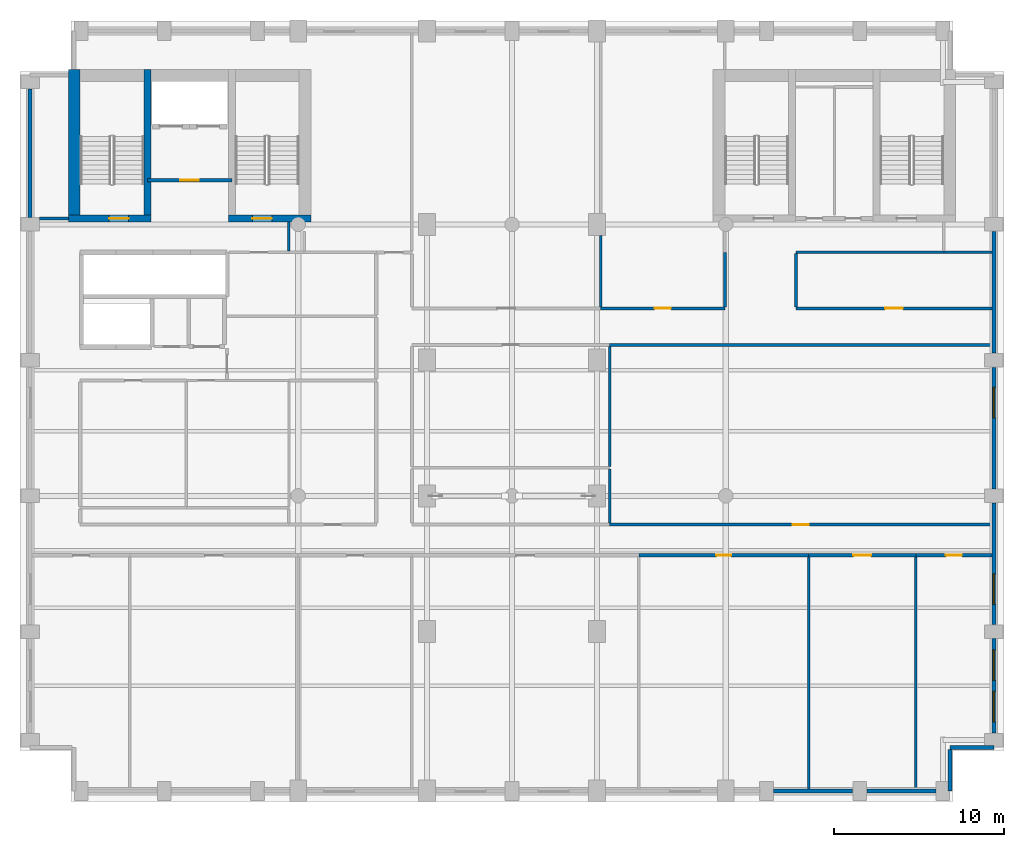
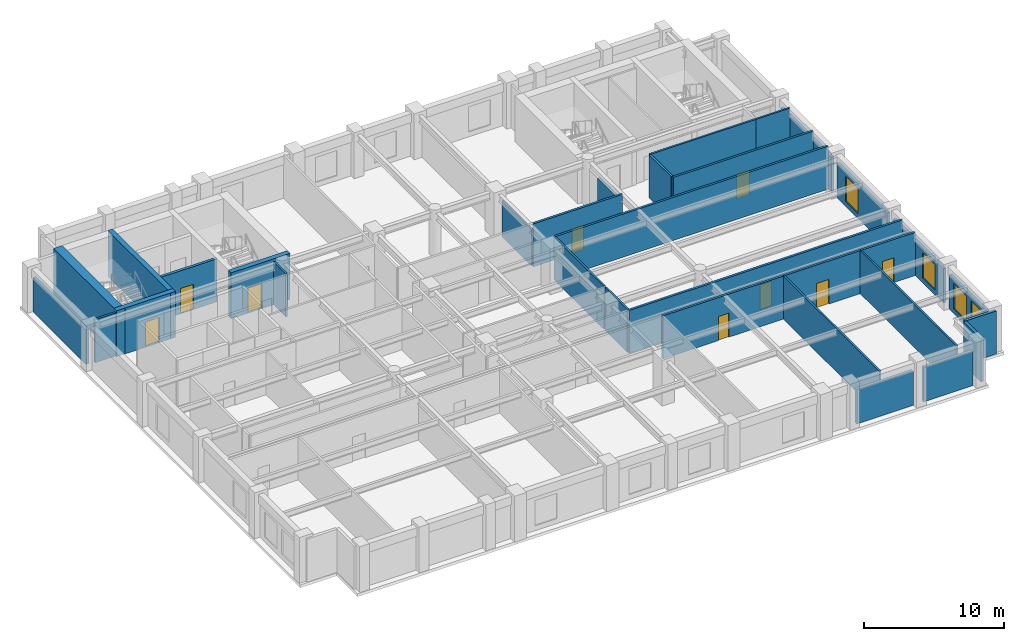
# One storey, part 6 of 10: 32 walls, 9 doors, 4 windows, 13 openings.
"""IFC4 building model written with IfcOpenShell, lengths in metres."""

from ifc_helpers import new_model, si_unit, direction, frame, frame_2d, origin, place, context, subcontext, project, spatial, rectangle, extrude, material, layer, layer_set, type_object, element, fill, save


model = new_model("IFC4")

# Units and contexts
model_context = context("Model", 3, precision=1e-05, world=origin(), true_north=direction((0.0, 1.0)))
body_context = subcontext(model_context, "Body", "Model", "MODEL_VIEW")
ifc_project = project(units=[si_unit("LENGTHUNIT", "METRE"), si_unit("AREAUNIT", "SQUARE_METRE"), si_unit("VOLUMEUNIT", "CUBIC_METRE"), si_unit("PLANEANGLEUNIT", "RADIAN"), si_unit("MASSUNIT", "GRAM", prefix="KILO")], contexts=[model_context])

# Site, building, storey
site_placement = place(None, origin())
site = spatial("IfcSite", under=ifc_project, at=site_placement, CompositionType="ELEMENT")
building_placement = place(site_placement, origin())
building = spatial("IfcBuilding", under=site, at=building_placement, Name="Sulina Concourse Tower", CompositionType="ELEMENT")
storey_placement = place(building_placement, frame((0.0, 0.0, 206.60009765625)))
storey = spatial("IfcBuildingStorey", under=building, at=storey_placement, Name="L50", CompositionType="ELEMENT", Elevation=206.60009765625)

# Walls
ifc_material_1 = material(Name="Precast concrete C50/60", Category="concrete")
ifc_layer_1 = layer(ifc_material_1, 0.239990234375)
ifc_layer_set_1 = layer_set([ifc_layer_1], Name="Precast concrete C50/60")
wall_type_1 = type_object("IfcWallType", Name="Crown Precast Masonry-Frame Facade Wall 240mm", PredefinedType="SOLIDWALL", material=ifc_layer_set_1)
wall_1_placement = place(storey_placement, frame((49.080078125, 0.60009765625, 0.0), z_axis=(0.0, 0.0, 1.0), x_axis=(-1.0, 0.0, 0.0)))
element("IfcWall", 1, at=wall_1_placement, inside=storey, type_object=wall_type_1, Name="L50 exterior precast wall S9", PredefinedType="SOLIDWALL", context=body_context, shape_type="SweptSolid", body=[
    extrude(rectangle(XDim=4.66015625, YDim=0.239990234375, at=frame_2d((2.330078125, 0.0))), origin(), (0.0, 0.0, 1.0), 3.0),
])
wall_2_placement = place(storey_placement, frame((53.97998046875, 0.60009765625, 0.0), z_axis=(0.0, 0.0, 1.0), x_axis=(-1.0, 0.0, 0.0)))
element("IfcWall", 2, at=wall_2_placement, inside=storey, type_object=wall_type_1, Name="L50 exterior precast wall S10", PredefinedType="SOLIDWALL", context=body_context, shape_type="SweptSolid", body=[
    extrude(rectangle(XDim=4.06005859375, YDim=0.239990234375, at=frame_2d((2.030029296875, 0.0))), origin(), (0.0, 0.0, 1.0), 3.0),
])
wall_3_placement = place(storey_placement, frame((0.60009765625, 34.419921875, 0.0), z_axis=(0.0, 0.0, 1.0), x_axis=(0.0, 1.0, 0.0)))
element("IfcWall", 3, at=wall_3_placement, inside=storey, type_object=wall_type_1, Name="L50 exterior precast wall W5", PredefinedType="SOLIDWALL", context=body_context, shape_type="SweptSolid", body=[
    extrude(rectangle(XDim=7.56005859375, YDim=0.239990234375, at=frame_2d((3.780029296875, 0.0))), origin(), (0.0, 0.0, 1.0), 3.0),
])

# Wall, openings, windows
wall_4_placement = place(storey_placement, frame((57.39990234375, 9.580078125, 0.0), z_axis=(0.0, 0.0, 1.0), x_axis=(0.0, -1.0, 0.0)))
wall_4 = element("IfcWall", 4, at=wall_4_placement, inside=storey, type_object=wall_type_1, Name="L50 exterior precast wall E1", PredefinedType="SOLIDWALL", context=body_context, shape_type="SweptSolid", body=[
    extrude(rectangle(XDim=5.56005859375, YDim=0.239990234375, at=frame_2d((2.780029296875, 0.0))), origin(), (0.0, 0.0, 1.0), 3.0),
])
opening_1_placement = place(wall_4_placement, frame((0.6533203125, 0.0, 0.419921875)))
opening_1 = element("IfcOpeningElement", 5, at=opening_1_placement, cuts=wall_4, Name="Opening WN-25", PredefinedType="OPENING", context=body_context, shape_type="SweptSolid", body=[
    extrude(rectangle(XDim=1.800048828125, YDim=2.199951171875, at=frame_2d((0.89990234375, 1.10009765625))), frame((0.0, 0.1298828125, 0.0), z_axis=(0.0, -1.0, 0.0), x_axis=(1.0, 0.0, 0.0)), (0.0, 0.0, 1.0), 0.260009765625),
])
opening_2_placement = place(wall_4_placement, frame((3.106689453125, 0.0, 0.419921875)))
opening_2 = element("IfcOpeningElement", 6, at=opening_2_placement, cuts=wall_4, Name="Opening WN-25", PredefinedType="OPENING", context=body_context, shape_type="SweptSolid", body=[
    extrude(rectangle(XDim=1.800048828125, YDim=2.199951171875, at=frame_2d((0.89990234375, 1.10009765625))), frame((0.0, 0.1298828125, 0.0), z_axis=(0.0, -1.0, 0.0), x_axis=(1.0, 0.0, 0.0)), (0.0, 0.0, 1.0), 0.260009765625),
])
ifc_material_2 = material(Name="Low-E solar double glazing in bronze aluminium", Category="aluminium")
window_type = type_object("IfcWindowType", Name="Punched Masonry-Frame Window 1800x2200", PartitioningType="SINGLE_PANEL", PredefinedType="WINDOW", material=ifc_material_2)
window_1_placement = place(opening_1_placement, origin())
window_1 = element("IfcWindow", 7, at=window_1_placement, inside=storey, type_object=window_type, Name="L50 punched window E1-1", OverallHeight=2.199951171875, OverallWidth=1.800048828125, PartitioningType="SINGLE_PANEL", PredefinedType="WINDOW", context=body_context, shape_type="SweptSolid", body=[
    extrude(rectangle(XDim=1.800048828125, YDim=2.199951171875, at=frame_2d((0.89990234375, 1.10009765625))), frame((0.0, 0.030029296875, 0.0), z_axis=(0.0, -1.0, 0.0), x_axis=(1.0, 0.0, 0.0)), (0.0, 0.0, 1.0), 0.06005859375),
])
fill(opening_1, window_1)
window_2_placement = place(opening_2_placement, origin())
window_2 = element("IfcWindow", 8, at=window_2_placement, inside=storey, type_object=window_type, Name="L50 punched window E1-2", OverallHeight=2.199951171875, OverallWidth=1.800048828125, PartitioningType="SINGLE_PANEL", PredefinedType="WINDOW", context=body_context, shape_type="SweptSolid", body=[
    extrude(rectangle(XDim=1.800048828125, YDim=2.199951171875, at=frame_2d((0.89990234375, 1.10009765625))), frame((0.0, 0.030029296875, 0.0), z_axis=(0.0, -1.0, 0.0), x_axis=(1.0, 0.0, 0.0)), (0.0, 0.0, 1.0), 0.06005859375),
])
fill(opening_2, window_2)

# Wall, opening, window
wall_5_placement = place(storey_placement, frame((57.39990234375, 17.580078125, 0.0), z_axis=(0.0, 0.0, 1.0), x_axis=(0.0, -1.0, 0.0)))
wall_5 = element("IfcWall", 9, at=wall_5_placement, inside=storey, type_object=wall_type_1, Name="L50 exterior precast wall E2", PredefinedType="SOLIDWALL", context=body_context, shape_type="SweptSolid", body=[
    extrude(rectangle(XDim=7.16015625, YDim=0.239990234375, at=frame_2d((3.580078125, 0.0))), origin(), (0.0, 0.0, 1.0), 3.0),
])
opening_3_placement = place(wall_5_placement, frame((4.17333984375, 0.0, 0.419921875)))
opening_3 = element("IfcOpeningElement", 10, at=opening_3_placement, cuts=wall_5, Name="Opening WN-25", PredefinedType="OPENING", context=body_context, shape_type="SweptSolid", body=[
    extrude(rectangle(XDim=1.800048828125, YDim=2.199951171875, at=frame_2d((0.89990234375, 1.10009765625))), frame((0.0, 0.1298828125, 0.0), z_axis=(0.0, -1.0, 0.0), x_axis=(1.0, 0.0, 0.0)), (0.0, 0.0, 1.0), 0.260009765625),
])
window_3_placement = place(opening_3_placement, origin())
window_3 = element("IfcWindow", 11, at=window_3_placement, inside=storey, type_object=window_type, Name="L50 punched window E2-1", OverallHeight=2.199951171875, OverallWidth=1.800048828125, PartitioningType="SINGLE_PANEL", PredefinedType="WINDOW", context=body_context, shape_type="SweptSolid", body=[
    extrude(rectangle(XDim=1.800048828125, YDim=2.199951171875, at=frame_2d((0.89990234375, 1.10009765625))), frame((0.0, 0.030029296875, 0.0), z_axis=(0.0, -1.0, 0.0), x_axis=(1.0, 0.0, 0.0)), (0.0, 0.0, 1.0), 0.06005859375),
])
fill(opening_3, window_3)

wall_6_placement = place(storey_placement, frame((57.39990234375, 25.580078125, 0.0), z_axis=(0.0, 0.0, 1.0), x_axis=(0.0, -1.0, 0.0)))
wall_6 = element("IfcWall", 12, at=wall_6_placement, inside=storey, type_object=wall_type_1, Name="L50 exterior precast wall E3", PredefinedType="SOLIDWALL", context=body_context, shape_type="SweptSolid", body=[
    extrude(rectangle(XDim=7.16015625, YDim=0.239990234375, at=frame_2d((3.580078125, 0.0))), origin(), (0.0, 0.0, 1.0), 3.0),
])
opening_4_placement = place(wall_6_placement, frame((1.186767578125, 0.0, 0.419921875)))
opening_4 = element("IfcOpeningElement", 13, at=opening_4_placement, cuts=wall_6, Name="Opening WN-25", PredefinedType="OPENING", context=body_context, shape_type="SweptSolid", body=[
    extrude(rectangle(XDim=1.800048828125, YDim=2.199951171875, at=frame_2d((0.89990234375, 1.10009765625))), frame((0.0, 0.1298828125, 0.0), z_axis=(0.0, -1.0, 0.0), x_axis=(1.0, 0.0, 0.0)), (0.0, 0.0, 1.0), 0.260009765625),
])
window_4_placement = place(opening_4_placement, origin())
window_4 = element("IfcWindow", 14, at=window_4_placement, inside=storey, type_object=window_type, Name="L50 punched window E3-1", OverallHeight=2.199951171875, OverallWidth=1.800048828125, PartitioningType="SINGLE_PANEL", PredefinedType="WINDOW", context=body_context, shape_type="SweptSolid", body=[
    extrude(rectangle(XDim=1.800048828125, YDim=2.199951171875, at=frame_2d((0.89990234375, 1.10009765625))), frame((0.0, 0.030029296875, 0.0), z_axis=(0.0, -1.0, 0.0), x_axis=(1.0, 0.0, 0.0)), (0.0, 0.0, 1.0), 0.06005859375),
])
fill(opening_4, window_4)

# Walls
wall_7_placement = place(storey_placement, frame((57.39990234375, 33.580078125, 0.0), z_axis=(0.0, 0.0, 1.0), x_axis=(0.0, -1.0, 0.0)))
element("IfcWall", 15, at=wall_7_placement, inside=storey, type_object=wall_type_1, Name="L50 exterior precast wall E4", PredefinedType="SOLIDWALL", context=body_context, shape_type="SweptSolid", body=[
    extrude(rectangle(XDim=7.16015625, YDim=0.239990234375, at=frame_2d((3.580078125, 0.0))), origin(), (0.0, 0.0, 1.0), 3.0),
])
wall_8_placement = place(storey_placement, frame((57.39990234375, 3.179931640625, 0.0), z_axis=(0.0, 0.0, 1.0), x_axis=(-1.0, 0.0, 0.0)))
element("IfcWall", 16, at=wall_8_placement, inside=storey, type_object=wall_type_1, Name="L50 exterior precast wall CSE1", PredefinedType="SOLIDWALL", context=body_context, shape_type="SweptSolid", body=[
    extrude(rectangle(XDim=2.579833984375, YDim=0.239990234375, at=frame_2d((1.2900390625, 0.0))), origin(), (0.0, 0.0, 1.0), 3.75),
])
wall_9_placement = place(storey_placement, frame((54.820068359375, 3.054931640625, 0.0), z_axis=(0.0, 0.0, 1.0), x_axis=(0.0, -1.0, 0.0)))
element("IfcWall", 17, at=wall_9_placement, inside=storey, type_object=wall_type_1, Name="L50 exterior precast wall CSE2", PredefinedType="SOLIDWALL", context=body_context, shape_type="SweptSolid", body=[
    extrude(rectangle(XDim=2.454833984375, YDim=0.239990234375, at=frame_2d((1.2275390625, 0.0))), origin(), (0.0, 0.0, 1.0), 3.75),
])

# Wall, opening, door
ifc_material_3 = material(Name="Gypsum board on steel stud", Category="steel")
ifc_layer_2 = layer(ifc_material_3, 0.219970703125)
ifc_layer_set_2 = layer_set([ifc_layer_2], Name="Gypsum board on steel stud")
wall_type_2 = type_object("IfcWallType", Name="Fire-Rated Lobby & Compartment Wall 220mm", PredefinedType="PARTITIONING", material=ifc_layer_set_2)
wall_10_placement = place(storey_placement, frame((7.510009765625, 36.60009765625, 0.0), z_axis=(0.0, 0.0, 1.0), x_axis=(1.0, 0.0, 0.0)))
wall_10 = element("IfcWall", 18, at=wall_10_placement, inside=storey, type_object=wall_type_2, Name="L50 firefighting lobby south fire wall", PredefinedType="PARTITIONING", context=body_context, shape_type="SweptSolid", body=[
    extrude(rectangle(XDim=4.97998046875, YDim=0.219970703125, at=frame_2d((2.489990234375, 0.0))), origin(), (0.0, 0.0, 1.0), 3.75),
])
opening_5_placement = place(wall_10_placement, frame((1.93994140625, 0.0, 0.0)))
opening_5 = element("IfcOpeningElement", 19, at=opening_5_placement, cuts=wall_10, Name="Opening DR-47", PredefinedType="OPENING", context=body_context, shape_type="SweptSolid", body=[
    extrude(rectangle(XDim=1.10009765625, YDim=2.199951171875, at=frame_2d((0.550048828125, 1.10009765625))), frame((0.0, 0.119873046875, 0.0), z_axis=(0.0, -1.0, 0.0), x_axis=(1.0, 0.0, 0.0)), (0.0, 0.0, 1.0), 0.239990234375),
])
ifc_material_4 = material(Name="Galvanised steel acoustic fire leaf", Category="steel")
ifc_layer_3 = layer(ifc_material_4, 0.054931640625)
ifc_layer_set_3 = layer_set([ifc_layer_3], Name="Galvanised steel acoustic fire leaf")
door_type_1 = type_object("IfcDoorType", Name="Firefighting Lobby Fire Door 1100x2200", OperationType="NOTDEFINED", PredefinedType="DOOR", material=ifc_layer_set_3)
door_1_placement = place(opening_5_placement, origin())
door_1 = element("IfcDoor", 20, at=door_1_placement, inside=storey, type_object=door_type_1, Name="L50 firefighting lobby fire door", OperationType="SINGLE_SWING_LEFT", OverallHeight=2.199951171875, OverallWidth=1.10009765625, PredefinedType="DOOR", context=body_context, shape_type="SweptSolid", body=[
    extrude(rectangle(XDim=1.10009765625, YDim=2.199951171875, at=frame_2d((0.550048828125, 1.10009765625))), frame((0.0, 0.02490234375, 0.0), z_axis=(0.0, -1.0, 0.0), x_axis=(1.0, 0.0, 0.0)), (0.0, 0.0, 1.0), 0.050048828125),
])
fill(opening_5, door_1)

# Walls
ifc_material_5 = material(Name="Gypsum board on steel stud", Category="steel")
ifc_layer_4 = layer(ifc_material_5, 0.14990234375)
ifc_layer_set_4 = layer_set([ifc_layer_4], Name="Gypsum board on steel stud")
wall_type_3 = type_object("IfcWallType", Name="Inter-Tenancy Acoustic Partition 150mm", PredefinedType="PARTITIONING", material=ifc_layer_set_4)
wall_11_placement = place(storey_placement, frame((45.75, 32.35009765625, 0.0), z_axis=(0.0, 0.0, 1.0), x_axis=(1.0, 0.0, 0.0)))
element("IfcWall", 21, at=wall_11_placement, inside=storey, type_object=wall_type_3, Name="L50 interior partition 031", PredefinedType="PARTITIONING", context=body_context, shape_type="SweptSolid", body=[
    extrude(rectangle(XDim=8.699951171875, YDim=0.14990234375, at=frame_2d((4.35009765625, 0.0))), origin(), (0.0, 0.0, 1.0), 3.75),
])
wall_12_placement = place(storey_placement, frame((54.449951171875, 32.35009765625, 0.0), z_axis=(0.0, 0.0, 1.0), x_axis=(1.0, 0.0, 0.0)))
element("IfcWall", 22, at=wall_12_placement, inside=storey, type_object=wall_type_3, Name="L50 interior partition 032", PredefinedType="PARTITIONING", context=body_context, shape_type="SweptSolid", body=[
    extrude(rectangle(XDim=2.830078125, YDim=0.14990234375, at=frame_2d((1.4150390625, 0.0))), origin(), (0.0, 0.0, 1.0), 3.75),
])
wall_13_placement = place(storey_placement, frame((15.85009765625, 32.425048828125, 0.0), z_axis=(0.0, 0.0, 1.0), x_axis=(0.0, 1.0, 0.0)))
element("IfcWall", 23, at=wall_13_placement, inside=storey, type_object=wall_type_3, Name="L50 interior partition 045", PredefinedType="PARTITIONING", context=body_context, shape_type="SweptSolid", body=[
    extrude(rectangle(XDim=1.724853515625, YDim=0.14990234375, at=frame_2d((0.8623046875, 0.0))), origin(), (0.0, 0.0, 1.0), 3.75),
])
wall_14_placement = place(storey_placement, frame((34.219970703125, 29.139892578125, 0.0), z_axis=(0.0, 0.0, 1.0), x_axis=(0.0, 1.0, 0.0)))
element("IfcWall", 24, at=wall_14_placement, inside=storey, type_object=wall_type_3, Name="L50 interior partition 056", PredefinedType="PARTITIONING", context=body_context, shape_type="SweptSolid", body=[
    extrude(rectangle(XDim=4.210205078125, YDim=0.14990234375, at=frame_2d((2.10498046875, 0.0))), origin(), (0.0, 0.0, 1.0), 3.14501953125),
])
wall_15_placement = place(storey_placement, frame((34.75, 16.389892578125, 0.0), z_axis=(0.0, 0.0, 1.0), x_axis=(0.0, 1.0, 0.0)))
element("IfcWall", 25, at=wall_15_placement, inside=storey, type_object=wall_type_3, Name="L50 interior partition 058", PredefinedType="PARTITIONING", context=body_context, shape_type="SweptSolid", body=[
    extrude(rectangle(XDim=3.18505859375, YDim=0.14990234375, at=frame_2d((1.592529296875, 0.0))), origin(), (0.0, 0.0, 1.0), 3.75),
])
wall_16_placement = place(storey_placement, frame((34.75, 19.72509765625, 0.0), z_axis=(0.0, 0.0, 1.0), x_axis=(0.0, 1.0, 0.0)))
element("IfcWall", 26, at=wall_16_placement, inside=storey, type_object=wall_type_3, Name="L50 interior partition 059", PredefinedType="PARTITIONING", context=body_context, shape_type="SweptSolid", body=[
    extrude(rectangle(XDim=7.0849609375, YDim=0.14990234375, at=frame_2d((3.54248046875, 0.0))), origin(), (0.0, 0.0, 1.0), 3.75),
])
for number, where, z_axis, x_axis, name in (
    (27, (46.47998046875, 0.719970703125, 0.0), (0.0, 0.0, 1.0), (0.0, 1.0, 0.0), "L50 interior partition 065"),
    (28, (52.81005859375, 0.719970703125, 0.0), (0.0, 0.0, 1.0), (0.0, 1.0, 0.0), "L50 interior partition 067"),
):
    element("IfcWall", number, at=place(storey_placement, frame(where, z_axis=z_axis, x_axis=x_axis)), inside=storey, type_object=wall_type_3, Name=name, PredefinedType="PARTITIONING", context=body_context, shape_type="SweptSolid", body=[
        extrude(rectangle(XDim=13.68994140625, YDim=0.14990234375, at=frame_2d((6.844970703125, 0.0))), origin(), (0.0, 0.0, 1.0), 3.75),
    ])

# Wall, opening, door
ifc_material_6 = material(Name="Gypsum board on steel stud", Category="steel")
ifc_layer_5 = layer(ifc_material_6, 0.179931640625)
ifc_layer_set_5 = layer_set([ifc_layer_5], Name="Gypsum board on steel stud")
wall_type_4 = type_object("IfcWallType", Name="Protected Corridor & Riser Partition 180mm", PredefinedType="PARTITIONING", material=ifc_layer_set_5)
wall_17_placement = place(storey_placement, frame((36.47998046875, 14.5, 0.0), z_axis=(0.0, 0.0, 1.0), x_axis=(1.0, 0.0, 0.0)))
wall_17 = element("IfcWall", 29, at=wall_17_placement, inside=storey, type_object=wall_type_4, Name="L50 interior partition 005", PredefinedType="PARTITIONING", context=body_context, shape_type="SweptSolid", body=[
    extrude(rectangle(XDim=10.0, YDim=0.179931640625, at=frame_2d((5.0, 0.0))), origin(), (0.0, 0.0, 1.0), 3.75),
])
opening_6_placement = place(wall_17_placement, frame((4.56005859375, 0.0, 0.0)))
opening_6 = element("IfcOpeningElement", 30, at=opening_6_placement, cuts=wall_17, Name="Opening DR-38", PredefinedType="OPENING", context=body_context, shape_type="SweptSolid", body=[
    extrude(rectangle(XDim=0.8798828125, YDim=2.10009765625, at=frame_2d((0.43994140625, 1.050048828125))), frame((0.0, 0.099853515625, 0.0), z_axis=(0.0, -1.0, 0.0), x_axis=(1.0, 0.0, 0.0)), (0.0, 0.0, 1.0), 0.199951171875),
])
ifc_material_7 = material(Name="Galvanised steel acoustic fire leaf", Category="steel")
ifc_layer_6 = layer(ifc_material_7, 0.050048828125)
ifc_layer_set_6 = layer_set([ifc_layer_6], Name="Galvanised steel acoustic fire leaf")
door_type_2 = type_object("IfcDoorType", Name="Service Riser Fire Door 880x2100", OperationType="NOTDEFINED", PredefinedType="DOOR", material=ifc_layer_set_6)
door_2_placement = place(opening_6_placement, origin())
door_2 = element("IfcDoor", 31, at=door_2_placement, inside=storey, type_object=door_type_2, Name="L50 interior door L50-S05", OperationType="SINGLE_SWING_LEFT", OverallHeight=2.10009765625, OverallWidth=0.8798828125, PredefinedType="DOOR", context=body_context, shape_type="SweptSolid", body=[
    extrude(rectangle(XDim=0.8798828125, YDim=2.10009765625, at=frame_2d((0.43994140625, 1.050048828125))), frame((0.0, 0.02490234375, 0.0), z_axis=(0.0, -1.0, 0.0), x_axis=(1.0, 0.0, 0.0)), (0.0, 0.0, 1.0), 0.050048828125),
])
fill(opening_6, door_2)

wall_18_placement = place(storey_placement, frame((46.47998046875, 14.5, 0.0), z_axis=(0.0, 0.0, 1.0), x_axis=(1.0, 0.0, 0.0)))
wall_18 = element("IfcWall", 32, at=wall_18_placement, inside=storey, type_object=wall_type_4, Name="L50 interior partition 006", PredefinedType="PARTITIONING", context=body_context, shape_type="SweptSolid", body=[
    extrude(rectangle(XDim=6.330078125, YDim=0.179931640625, at=frame_2d((3.1650390625, 0.0))), origin(), (0.0, 0.0, 1.0), 3.75),
])
opening_7_placement = place(wall_18_placement, frame((2.639892578125, 0.0, 0.0)))
opening_7 = element("IfcOpeningElement", 33, at=opening_7_placement, cuts=wall_18, Name="Opening DR-37", PredefinedType="OPENING", context=body_context, shape_type="SweptSolid", body=[
    extrude(rectangle(XDim=1.050048828125, YDim=2.14990234375, at=frame_2d((0.52490234375, 1.074951171875))), frame((0.0, 0.099853515625, 0.0), z_axis=(0.0, -1.0, 0.0), x_axis=(1.0, 0.0, 0.0)), (0.0, 0.0, 1.0), 0.199951171875),
])
ifc_material_8 = material(Name="Oak-veneered fire door leaf")
ifc_layer_7 = layer(ifc_material_8, 0.050048828125)
ifc_layer_set_7 = layer_set([ifc_layer_7], Name="Oak-veneered fire door leaf")
door_type_3 = type_object("IfcDoorType", Name="Tenant Suite Entrance Fire Door 1050x2150", OperationType="NOTDEFINED", PredefinedType="DOOR", material=ifc_layer_set_7)
door_3_placement = place(opening_7_placement, origin())
door_3 = element("IfcDoor", 34, at=door_3_placement, inside=storey, type_object=door_type_3, Name="L50 interior door L50-S06A", OperationType="SINGLE_SWING_RIGHT", OverallHeight=2.14990234375, OverallWidth=1.050048828125, PredefinedType="DOOR", context=body_context, shape_type="SweptSolid", body=[
    extrude(rectangle(XDim=1.050048828125, YDim=2.14990234375, at=frame_2d((0.52490234375, 1.074951171875))), frame((0.0, 0.02490234375, 0.0), z_axis=(0.0, -1.0, 0.0), x_axis=(1.0, 0.0, 0.0)), (0.0, 0.0, 1.0), 0.050048828125),
])
fill(opening_7, door_3)

wall_19_placement = place(storey_placement, frame((52.81005859375, 14.5, 0.0), z_axis=(0.0, 0.0, 1.0), x_axis=(1.0, 0.0, 0.0)))
wall_19 = element("IfcWall", 35, at=wall_19_placement, inside=storey, type_object=wall_type_4, Name="L50 interior partition 007", PredefinedType="PARTITIONING", context=body_context, shape_type="SweptSolid", body=[
    extrude(rectangle(XDim=4.469970703125, YDim=0.179931640625, at=frame_2d((2.23486328125, 0.0))), origin(), (0.0, 0.0, 1.0), 3.75),
])
opening_8_placement = place(wall_19_placement, frame((1.760009765625, 0.0, 0.0)))
opening_8 = element("IfcOpeningElement", 36, at=opening_8_placement, cuts=wall_19, Name="Opening DR-19", PredefinedType="OPENING", context=body_context, shape_type="SweptSolid", body=[
    extrude(rectangle(XDim=0.949951171875, YDim=2.14990234375, at=frame_2d((0.47509765625, 1.074951171875))), frame((0.0, 0.099853515625, 0.0), z_axis=(0.0, -1.0, 0.0), x_axis=(1.0, 0.0, 0.0)), (0.0, 0.0, 1.0), 0.199951171875),
])
ifc_material_9 = material(Name="Oak-veneered acoustic timber leaf", Category="wood")
ifc_layer_8 = layer(ifc_material_9, 0.050048828125)
ifc_layer_set_8 = layer_set([ifc_layer_8], Name="Oak-veneered acoustic timber leaf")
door_type_4 = type_object("IfcDoorType", Name="Cellular Office & Meeting Door 950x2150", OperationType="NOTDEFINED", PredefinedType="DOOR", material=ifc_layer_set_8)
door_4_placement = place(opening_8_placement, origin())
door_4 = element("IfcDoor", 37, at=door_4_placement, inside=storey, type_object=door_type_4, Name="L50 interior door L50-S06B", OperationType="SINGLE_SWING_LEFT", OverallHeight=2.14990234375, OverallWidth=0.949951171875, PredefinedType="DOOR", context=body_context, shape_type="SweptSolid", body=[
    extrude(rectangle(XDim=0.949951171875, YDim=2.14990234375, at=frame_2d((0.47509765625, 1.074951171875))), frame((0.0, 0.02490234375, 0.0), z_axis=(0.0, -1.0, 0.0), x_axis=(1.0, 0.0, 0.0)), (0.0, 0.0, 1.0), 0.050048828125),
])
fill(opening_8, door_4)

wall_20_placement = place(storey_placement, frame((34.75, 16.300048828125, 0.0), z_axis=(0.0, 0.0, 1.0), x_axis=(1.0, 0.0, 0.0)))
wall_20 = element("IfcWall", 38, at=wall_20_placement, inside=storey, type_object=wall_type_4, Name="L50 interior partition 011", PredefinedType="PARTITIONING", context=body_context, shape_type="SweptSolid", body=[
    extrude(rectangle(XDim=22.530029296875, YDim=0.179931640625, at=frame_2d((11.26513671875, 0.0))), origin(), (0.0, 0.0, 1.0), 3.75),
])
opening_9_placement = place(wall_20_placement, frame((10.7900390625, 0.0, 0.0)))
opening_9 = element("IfcOpeningElement", 39, at=opening_9_placement, cuts=wall_20, Name="Opening DR-19", PredefinedType="OPENING", context=body_context, shape_type="SweptSolid", body=[
    extrude(rectangle(XDim=0.949951171875, YDim=2.14990234375, at=frame_2d((0.47509765625, 1.074951171875))), frame((0.0, 0.099853515625, 0.0), z_axis=(0.0, -1.0, 0.0), x_axis=(1.0, 0.0, 0.0)), (0.0, 0.0, 1.0), 0.199951171875),
])
door_5_placement = place(opening_9_placement, origin())
door_5 = element("IfcDoor", 40, at=door_5_placement, inside=storey, type_object=door_type_4, Name="L50 interior door L50-UBT-ERM", OperationType="SINGLE_SWING_LEFT", OverallHeight=2.14990234375, OverallWidth=0.949951171875, PredefinedType="DOOR", context=body_context, shape_type="SweptSolid", body=[
    extrude(rectangle(XDim=0.949951171875, YDim=2.14990234375, at=frame_2d((0.47509765625, 1.074951171875))), frame((0.0, 0.02490234375, 0.0), z_axis=(0.0, -1.0, 0.0), x_axis=(1.0, 0.0, 0.0)), (0.0, 0.0, 1.0), 0.050048828125),
])
fill(opening_9, door_5)

# Wall
wall_21_placement = place(storey_placement, frame((34.75, 26.89990234375, 0.0), z_axis=(0.0, 0.0, 1.0), x_axis=(1.0, 0.0, 0.0)))
element("IfcWall", 41, at=wall_21_placement, inside=storey, type_object=wall_type_4, Name="L50 interior partition 022", PredefinedType="PARTITIONING", context=body_context, shape_type="SweptSolid", body=[
    extrude(rectangle(XDim=22.530029296875, YDim=0.179931640625, at=frame_2d((11.26513671875, 0.0))), origin(), (0.0, 0.0, 1.0), 3.75),
])

# Wall, opening, door
wall_22_placement = place(storey_placement, frame((34.219970703125, 29.050048828125, 0.0), z_axis=(0.0, 0.0, 1.0), x_axis=(1.0, 0.0, 0.0)))
wall_22 = element("IfcWall", 42, at=wall_22_placement, inside=storey, type_object=wall_type_4, Name="L50 interior partition 025", PredefinedType="PARTITIONING", context=body_context, shape_type="SweptSolid", body=[
    extrude(rectangle(XDim=7.330078125, YDim=0.179931640625, at=frame_2d((3.6650390625, 0.0))), origin(), (0.0, 0.0, 1.0), 3.75),
])
opening_10_placement = place(wall_22_placement, frame((3.18994140625, 0.0, 0.0)))
opening_10 = element("IfcOpeningElement", 43, at=opening_10_placement, cuts=wall_22, Name="Opening DR-19", PredefinedType="OPENING", context=body_context, shape_type="SweptSolid", body=[
    extrude(rectangle(XDim=0.949951171875, YDim=2.14990234375, at=frame_2d((0.47509765625, 1.074951171875))), frame((0.0, 0.099853515625, 0.0), z_axis=(0.0, -1.0, 0.0), x_axis=(1.0, 0.0, 0.0)), (0.0, 0.0, 1.0), 0.199951171875),
])
door_6_placement = place(opening_10_placement, origin())
door_6 = element("IfcDoor", 44, at=door_6_placement, inside=storey, type_object=door_type_4, Name="L50 interior door L50-NC2", OperationType="SINGLE_SWING_LEFT", OverallHeight=2.14990234375, OverallWidth=0.949951171875, PredefinedType="DOOR", context=body_context, shape_type="SweptSolid", body=[
    extrude(rectangle(XDim=0.949951171875, YDim=2.14990234375, at=frame_2d((0.47509765625, 1.074951171875))), frame((0.0, 0.02490234375, 0.0), z_axis=(0.0, -1.0, 0.0), x_axis=(1.0, 0.0, 0.0)), (0.0, 0.0, 1.0), 0.050048828125),
])
fill(opening_10, door_6)

wall_23_placement = place(storey_placement, frame((45.75, 29.050048828125, 0.0), z_axis=(0.0, 0.0, 1.0), x_axis=(1.0, 0.0, 0.0)))
wall_23 = element("IfcWall", 45, at=wall_23_placement, inside=storey, type_object=wall_type_4, Name="L50 interior partition 026", PredefinedType="PARTITIONING", context=body_context, shape_type="SweptSolid", body=[
    extrude(rectangle(XDim=11.530029296875, YDim=0.179931640625, at=frame_2d((5.76513671875, 0.0))), origin(), (0.0, 0.0, 1.0), 3.75),
])
opening_11_placement = place(wall_23_placement, frame((5.239990234375, 0.0, 0.0)))
opening_11 = element("IfcOpeningElement", 46, at=opening_11_placement, cuts=wall_23, Name="Opening DR-37", PredefinedType="OPENING", context=body_context, shape_type="SweptSolid", body=[
    extrude(rectangle(XDim=1.050048828125, YDim=2.14990234375, at=frame_2d((0.52490234375, 1.074951171875))), frame((0.0, 0.099853515625, 0.0), z_axis=(0.0, -1.0, 0.0), x_axis=(1.0, 0.0, 0.0)), (0.0, 0.0, 1.0), 0.199951171875),
])
door_7_placement = place(opening_11_placement, origin())
door_7 = element("IfcDoor", 47, at=door_7_placement, inside=storey, type_object=door_type_3, Name="L50 interior door L50-NE1", OperationType="SINGLE_SWING_RIGHT", OverallHeight=2.14990234375, OverallWidth=1.050048828125, PredefinedType="DOOR", context=body_context, shape_type="SweptSolid", body=[
    extrude(rectangle(XDim=1.050048828125, YDim=2.14990234375, at=frame_2d((0.52490234375, 1.074951171875))), frame((0.0, 0.02490234375, 0.0), z_axis=(0.0, -1.0, 0.0), x_axis=(1.0, 0.0, 0.0)), (0.0, 0.0, 1.0), 0.050048828125),
])
fill(opening_11, door_7)

# Walls
wall_24_placement = place(storey_placement, frame((1.14990234375, 34.35009765625, 0.0), z_axis=(0.0, 0.0, 1.0), x_axis=(1.0, 0.0, 0.0)))
element("IfcWall", 48, at=wall_24_placement, inside=storey, type_object=wall_type_4, Name="L50 interior partition 033", PredefinedType="PARTITIONING", context=body_context, shape_type="SweptSolid", body=[
    extrude(rectangle(XDim=1.7001953125, YDim=0.179931640625, at=frame_2d((0.85009765625, 0.0))), origin(), (0.0, 0.0, 1.0), 3.75),
])
wall_25_placement = place(storey_placement, frame((41.550048828125, 29.139892578125, 0.0), z_axis=(0.0, 0.0, 1.0), x_axis=(0.0, 1.0, 0.0)))
element("IfcWall", 49, at=wall_25_placement, inside=storey, type_object=wall_type_4, Name="L50 interior partition 061", PredefinedType="PARTITIONING", context=body_context, shape_type="SweptSolid", body=[
    extrude(rectangle(XDim=3.210205078125, YDim=0.179931640625, at=frame_2d((1.60498046875, 0.0))), origin(), (0.0, 0.0, 1.0), 3.14501953125),
])
wall_26_placement = place(storey_placement, frame((45.75, 29.139892578125, 0.0), z_axis=(0.0, 0.0, 1.0), x_axis=(0.0, 1.0, 0.0)))
element("IfcWall", 50, at=wall_26_placement, inside=storey, type_object=wall_type_4, Name="L50 interior partition 064", PredefinedType="PARTITIONING", context=body_context, shape_type="SweptSolid", body=[
    extrude(rectangle(XDim=3.135009765625, YDim=0.179931640625, at=frame_2d((1.5673828125, 0.0))), origin(), (0.0, 0.0, 1.0), 3.75),
])

# Wall, opening, door
ifc_material_10 = material(Name="Concrete C60/75", Category="concrete")
ifc_layer_9 = layer(ifc_material_10, 0.39990234375)
ifc_layer_set_9 = layer_set([ifc_layer_9], Name="Concrete C60/75")
wall_type_5 = type_object("IfcWallType", Name="Protected Stair Core Shear Wall 400mm", PredefinedType="SHEAR", material=ifc_layer_set_9)
wall_27_placement = place(storey_placement, frame((2.85009765625, 34.35009765625, 0.0), z_axis=(0.0, 0.0, 1.0), x_axis=(1.0, 0.0, 0.0)))
wall_27 = element("IfcWall", 51, at=wall_27_placement, inside=storey, type_object=wall_type_5, Name="L50 west core shear wall CW-WS1", PredefinedType="SHEAR", context=body_context, shape_type="SweptSolid", body=[
    extrude(rectangle(XDim=4.85986328125, YDim=0.39990234375, at=frame_2d((2.429931640625, 0.0))), origin(), (0.0, 0.0, 1.0), 4.0),
])
opening_12_placement = place(wall_27_placement, frame((2.39990234375, 0.0, 0.0)))
opening_12 = element("IfcOpeningElement", 52, at=opening_12_placement, cuts=wall_27, Name="Opening DR-60", PredefinedType="OPENING", context=body_context, shape_type="SweptSolid", body=[
    extrude(rectangle(XDim=1.14990234375, YDim=2.199951171875, at=frame_2d((0.574951171875, 1.10009765625))), frame((0.0, 0.2099609375, 0.0), z_axis=(0.0, -1.0, 0.0), x_axis=(1.0, 0.0, 0.0)), (0.0, 0.0, 1.0), 0.419921875),
])
ifc_material_11 = material(Name="Galvanised steel acoustic fire leaf", Category="steel")
ifc_layer_10 = layer(ifc_material_11, 0.054931640625)
ifc_layer_set_10 = layer_set([ifc_layer_10], Name="Galvanised steel acoustic fire leaf")
door_type_5 = type_object("IfcDoorType", Name="Protected Exit Stair Fire Door 1150x2200", OperationType="NOTDEFINED", PredefinedType="DOOR", material=ifc_layer_set_10)
door_8_placement = place(opening_12_placement, origin())
door_8 = element("IfcDoor", 53, at=door_8_placement, inside=storey, type_object=door_type_5, Name="L50 stair ST-1 lobby fire door", OperationType="SINGLE_SWING_LEFT", OverallHeight=2.199951171875, OverallWidth=1.14990234375, PredefinedType="DOOR", context=body_context, shape_type="SweptSolid", body=[
    extrude(rectangle(XDim=1.14990234375, YDim=2.199951171875, at=frame_2d((0.574951171875, 1.10009765625))), frame((0.0, 0.02490234375, 0.0), z_axis=(0.0, -1.0, 0.0), x_axis=(1.0, 0.0, 0.0)), (0.0, 0.0, 1.0), 0.050048828125),
])
fill(opening_12, door_8)

wall_28_placement = place(storey_placement, frame((12.2900390625, 34.35009765625, 0.0), z_axis=(0.0, 0.0, 1.0), x_axis=(1.0, 0.0, 0.0)))
wall_28 = element("IfcWall", 54, at=wall_28_placement, inside=storey, type_object=wall_type_5, Name="L50 west core shear wall CW-WS2", PredefinedType="SHEAR", context=body_context, shape_type="SweptSolid", body=[
    extrude(rectangle(XDim=4.85986328125, YDim=0.39990234375, at=frame_2d((2.429931640625, 0.0))), origin(), (0.0, 0.0, 1.0), 4.0),
])
opening_13_placement = place(wall_28_placement, frame((1.39990234375, 0.0, 0.0)))
opening_13 = element("IfcOpeningElement", 55, at=opening_13_placement, cuts=wall_28, Name="Opening DR-60", PredefinedType="OPENING", context=body_context, shape_type="SweptSolid", body=[
    extrude(rectangle(XDim=1.14990234375, YDim=2.199951171875, at=frame_2d((0.574951171875, 1.10009765625))), frame((0.0, 0.2099609375, 0.0), z_axis=(0.0, -1.0, 0.0), x_axis=(1.0, 0.0, 0.0)), (0.0, 0.0, 1.0), 0.419921875),
])
door_9_placement = place(opening_13_placement, origin())
door_9 = element("IfcDoor", 56, at=door_9_placement, inside=storey, type_object=door_type_5, Name="L50 stair ST-2 lobby fire door", OperationType="SINGLE_SWING_RIGHT", OverallHeight=2.199951171875, OverallWidth=1.14990234375, PredefinedType="DOOR", context=body_context, shape_type="SweptSolid", body=[
    extrude(rectangle(XDim=1.14990234375, YDim=2.199951171875, at=frame_2d((0.574951171875, 1.10009765625))), frame((0.0, 0.02490234375, 0.0), z_axis=(0.0, -1.0, 0.0), x_axis=(1.0, 0.0, 0.0)), (0.0, 0.0, 1.0), 0.050048828125),
])
fill(opening_13, door_9)

# Walls
wall_29_placement = place(storey_placement, frame((7.510009765625, 34.14990234375, 0.0), z_axis=(0.0, 0.0, 1.0), x_axis=(0.0, 1.0, 0.0)))
element("IfcWall", 57, at=wall_29_placement, inside=storey, type_object=wall_type_5, Name="L50 west core shear wall SW-ST1", PredefinedType="SHEAR", context=body_context, shape_type="SweptSolid", body=[
    extrude(rectangle(XDim=8.97998046875, YDim=0.39990234375, at=frame_2d((4.489990234375, 0.0))), origin(), (0.0, 0.0, 1.0), 4.0),
])
ifc_material_12 = material(Name="Concrete C60/75", Category="concrete")
ifc_layer_11 = layer(ifc_material_12, 0.699951171875)
ifc_layer_set_11 = layer_set([ifc_layer_11], Name="Concrete C60/75")
wall_type_6 = type_object("IfcWallType", Name="Rear Core Shear Wall 700mm", PredefinedType="SHEAR", material=ifc_layer_set_11)
wall_30_placement = place(storey_placement, frame((3.199951171875, 34.14990234375, 0.0), z_axis=(0.0, 0.0, 1.0), x_axis=(0.0, 1.0, 0.0)))
element("IfcWall", 58, at=wall_30_placement, inside=storey, type_object=wall_type_6, Name="L50 west core shear wall CW-WW", PredefinedType="SHEAR", context=body_context, shape_type="SweptSolid", body=[
    extrude(rectangle(XDim=8.97998046875, YDim=0.699951171875, at=frame_2d((4.489990234375, 0.0))), origin(), (0.0, 0.0, 1.0), 4.0),
])

save(model, "model.ifc")
